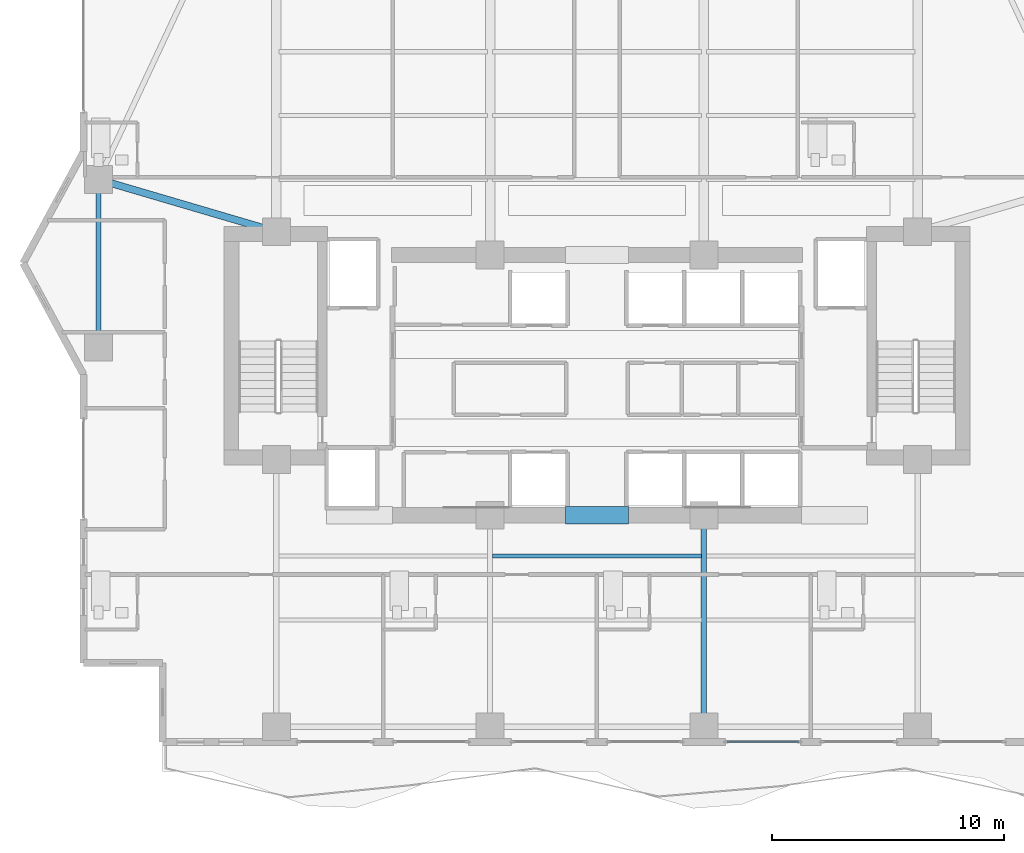
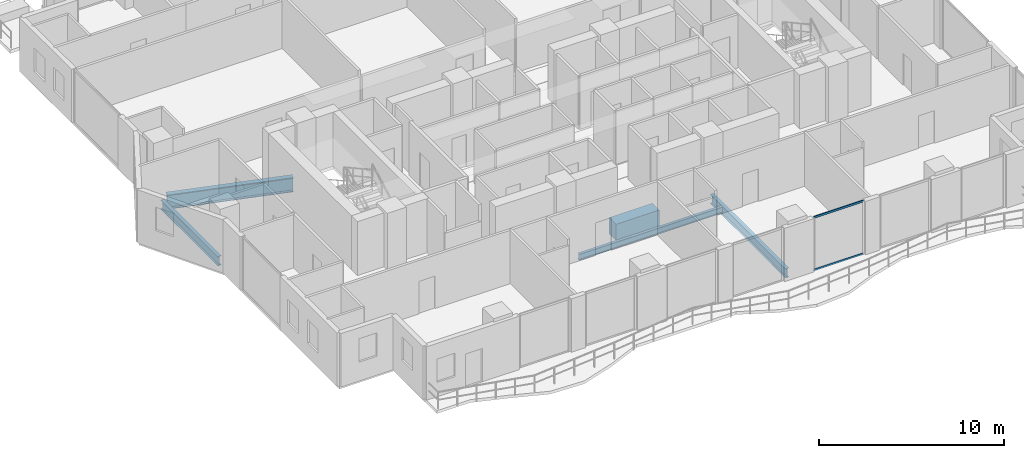
# One storey, part 6 of 33: 5 beams, 2 members, 1 element without a shape of its own.
"""IFC4 building model written with IfcOpenShell, lengths in metres."""

from ifc_helpers import new_model, si_unit, direction, frame, origin, origin_2d, place, context, subcontext, project, spatial, rectangle, hollow_rectangle, i_section, extrude, material, layer, layer_set, material_profile, profile_set, type_object, element, aggregate, save


model = new_model("IFC4")

# Units and contexts
model_context = context("Model", 3, precision=1e-05, world=origin(), true_north=direction((0.0, 1.0)))
body_context = subcontext(model_context, "Body", "Model", "MODEL_VIEW")
ifc_project = project(units=[si_unit("LENGTHUNIT", "METRE"), si_unit("AREAUNIT", "SQUARE_METRE"), si_unit("VOLUMEUNIT", "CUBIC_METRE"), si_unit("PLANEANGLEUNIT", "RADIAN"), si_unit("MASSUNIT", "GRAM", prefix="KILO")], contexts=[model_context])

# Site, building, storey
site_placement = place(None, origin())
site = spatial("IfcSite", under=ifc_project, at=site_placement, CompositionType="ELEMENT")
building_placement = place(site_placement, origin())
building = spatial("IfcBuilding", under=site, at=building_placement, Name="Zuhayl Quay Hotel", CompositionType="ELEMENT")
storey_placement = place(building_placement, frame((0.0, 0.0, 222.39990234375)))
storey = spatial("IfcBuildingStorey", under=building, at=storey_placement, Name="L56", CompositionType="ELEMENT", Elevation=222.39990234375)

# Beams
ifc_material_1 = material(Name="Steel ASTM A992 Grade 50", Category="steel")
ifc_material_profile_1 = material_profile(ifc_material_1, i_section(OverallWidth=0.22802734375, OverallDepth=0.60693359375, WebThickness=0.01123046875, FlangeThickness=0.017333984375, at=origin_2d()), Name="W24X76")
ifc_profile_set_1 = profile_set([ifc_material_profile_1], Name="Steel ASTM A992 Grade 50")
beam_type_1 = type_object("IfcBeamType", Name="BM_B3_W24X76", PredefinedType="BEAM", material=ifc_profile_set_1)
beam_1_placement = place(storey_placement, frame((-21.449951171875, 16.10009765625, -0.5234375), z_axis=(0.0, -1.0, 0.0), x_axis=(1.0, 0.0, 0.0)))
element("IfcBeam", 1, at=beam_1_placement, inside=storey, type_object=beam_type_1, Name="L56 Floor Beam RG_L56_11", PredefinedType="BEAM", context=body_context, shape_type="SweptSolid", body=[
    extrude(i_section(OverallWidth=0.22802734375, OverallDepth=0.60693359375, WebThickness=0.01123046875, FlangeThickness=0.017333984375, at=origin_2d()), origin(), (0.0, 0.0, 1.0), 6.2001953125),
])
beam_2_placement = place(storey_placement, frame((4.60009765625, -6.449951171875, -0.5234375), z_axis=(0.0, 1.0, 0.0), x_axis=(-1.0, 0.0, 0.0)))
element("IfcBeam", 2, at=beam_2_placement, inside=storey, type_object=beam_type_1, Name="L56 Floor Beam FG_S_L56_3", PredefinedType="BEAM", context=body_context, shape_type="SweptSolid", body=[
    extrude(i_section(OverallWidth=0.22802734375, OverallDepth=0.60693359375, WebThickness=0.01123046875, FlangeThickness=0.017333984375, at=origin_2d()), origin(), (0.0, 0.0, 1.0), 8.14990234375),
])
ifc_material_2 = material(Name="Concrete C60/75", Category="concrete")
ifc_material_profile_2 = material_profile(ifc_material_2, rectangle(XDim=0.75, YDim=1.10009765625, at=origin_2d()), Name="RC750X1100")
ifc_profile_set_2 = profile_set([ifc_material_profile_2], Name="Concrete C60/75")
beam_type_2 = type_object("IfcBeamType", Name="BM_CB2_RC750", PredefinedType="T_BEAM", material=ifc_profile_set_2)
beam_3_placement = place(storey_placement, frame((-1.35009765625, 2.14990234375, -0.77001953125), z_axis=(1.0, 0.0, 0.0), x_axis=(0.0, 1.0, 0.0)))
element("IfcBeam", 3, at=beam_3_placement, inside=storey, type_object=beam_type_2, Name="L56 Core Coupling Beam South", PredefinedType="T_BEAM", context=body_context, shape_type="SweptSolid", body=[
    extrude(rectangle(XDim=0.75, YDim=1.10009765625, at=origin_2d()), origin(), (0.0, 0.0, 1.0), 2.7001953125),
])
ifc_material_profile_3 = material_profile(ifc_material_1, i_section(OverallWidth=0.177978515625, OverallDepth=0.406005859375, WebThickness=0.0078125, FlangeThickness=0.0126953125, at=origin_2d()), Name="W16X40")
ifc_profile_set_3 = profile_set([ifc_material_profile_3], Name="Steel ASTM A992 Grade 50")
beam_type_3 = type_object("IfcBeamType", Name="BM_J2B_W16X40", PredefinedType="JOIST", material=ifc_profile_set_3)
beam_4_placement = place(storey_placement, frame((-4.493896484375, 0.39990234375, -0.4228515625), z_axis=(1.0, 0.0, 0.0), x_axis=(0.0, 1.0, 0.0)))
element("IfcBeam", 4, at=beam_4_placement, inside=storey, type_object=beam_type_3, Name="L56 Floor Beam FJ_L56_8_2", PredefinedType="JOIST", context=body_context, shape_type="SweptSolid", body=[
    extrude(i_section(OverallWidth=0.177978515625, OverallDepth=0.406005859375, WebThickness=0.0078125, FlangeThickness=0.0126953125, at=origin_2d()), origin(), (0.0, 0.0, 1.0), 8.98779296875),
])
ifc_material_profile_4 = material_profile(ifc_material_1, i_section(OverallWidth=0.31005859375, OverallDepth=0.949951171875, WebThickness=0.0244140625, FlangeThickness=0.0439453125, at=origin_2d()), Name="W36X256")
ifc_profile_set_4 = profile_set([ifc_material_profile_4], Name="Steel ASTM A992 Grade 50")
beam_type_4 = type_object("IfcBeamType", Name="BM_PG1_W36X256", PredefinedType="BEAM", material=ifc_profile_set_4)
beam_5_placement = place(storey_placement, frame((-20.97021484375, 16.458984375, -0.69482421875), z_axis=(0.959364948093, -0.282168205812, 0.0), x_axis=(0.282168205812, 0.959364948093, 0.0)))
element("IfcBeam", 5, at=beam_5_placement, inside=storey, type_object=beam_type_4, Name="L56 Floor Beam FG_W_L56_2", PredefinedType="BEAM", context=body_context, shape_type="SweptSolid", body=[
    extrude(i_section(OverallWidth=0.31005859375, OverallDepth=0.949951171875, WebThickness=0.0244140625, FlangeThickness=0.0439453125, at=origin_2d()), origin(), (0.0, 0.0, 1.0), 7.02392578125),
])

# Curtain wall, members
ifc_material_3 = material(Name="Anodised Aluminium 6063-T6", Category="aluminium")
ifc_layer = layer(ifc_material_3, 0.175048828125, Name="Anodised Aluminium 6063-T6", Category="aluminium")
ifc_layer_set = layer_set([ifc_layer], Name="Anodised Aluminium 6063-T6")
curtain_wall_type = type_object("IfcCurtainWallType", Name="CW_SYS_Z3", PredefinedType="USERDEFINED", material=ifc_layer_set)
curtain_wall_placement = place(storey_placement, origin())
curtain_wall = element("IfcCurtainWall", 6, at=curtain_wall_placement, inside=storey, type_object=curtain_wall_type, Name="L56 Curtain Wall ENV_L56_S_CW3", ObjectType="UNITISED CURTAIN WALL", PredefinedType="USERDEFINED")
ifc_material_4 = material(Name="Black-anodised aluminium 6063-T6", Category="aluminium")
ifc_material_profile_5 = material_profile(ifc_material_4, hollow_rectangle(XDim=0.054931640625, YDim=0.1298828125, WallThickness=0.0029296875, at=origin_2d()), Name="ALU130X55")
ifc_profile_set_5 = profile_set([ifc_material_profile_5], Name="Black-anodised aluminium 6063-T6")
member_type = type_object("IfcMemberType", Name="MB_CW_TRN_130", PredefinedType="USERDEFINED", material=ifc_profile_set_5)
member_1_placement = place(storey_placement, frame((8.68505859375, -7.60009765625, 0.027587890625), z_axis=(-1.0, 0.0, 0.0), x_axis=(0.0, -1.0, 0.0)))
member_1 = element("IfcMember", 7, at=member_1_placement, type_object=member_type, Name="CW-Z3 transom 1.1", ObjectType="TRANSOM", PredefinedType="USERDEFINED", context=body_context, shape_type="SweptSolid", body=[
    extrude(hollow_rectangle(XDim=0.054931640625, YDim=0.1298828125, WallThickness=0.0029296875, at=origin_2d()), origin(), (0.0, 0.0, 1.0), 3.10009765625),
])
member_2_placement = place(storey_placement, frame((8.68505859375, -7.60009765625, 3.502685546875), z_axis=(-1.0, 0.0, 0.0), x_axis=(0.0, -1.0, 0.0)))
member_2 = element("IfcMember", 8, at=member_2_placement, type_object=member_type, Name="CW-Z3 transom 1.2", ObjectType="TRANSOM", PredefinedType="USERDEFINED", context=body_context, shape_type="SweptSolid", body=[
    extrude(hollow_rectangle(XDim=0.054931640625, YDim=0.1298828125, WallThickness=0.0029296875, at=origin_2d()), origin(), (0.0, 0.0, 1.0), 3.10009765625),
])
aggregate(curtain_wall, [member_1, member_2])

save(model, "model.ifc")
